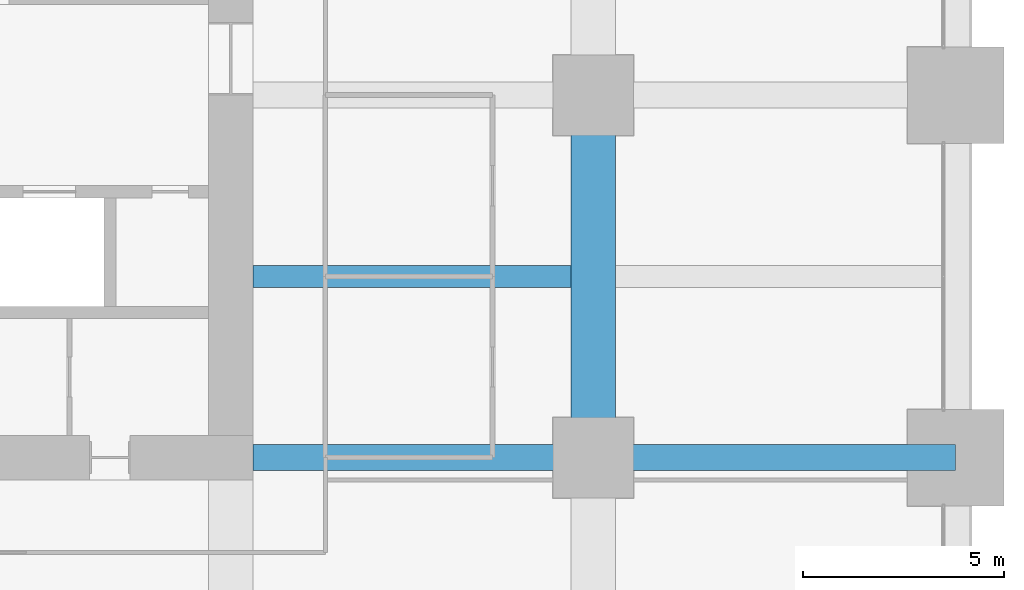
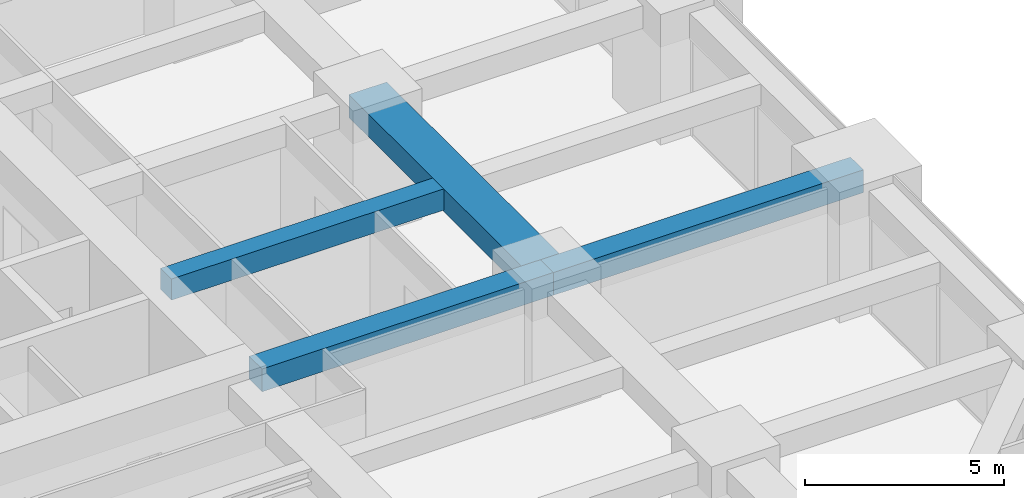
# One storey, part 20 of 39: 4 beams.
"""IFC4 building model written with IfcOpenShell, lengths in metres."""

from ifc_helpers import new_model, si_unit, direction, frame, origin, origin_2d, place, context, subcontext, project, spatial, rectangle, extrude, material, material_profile, profile_set, type_object, element, save


model = new_model("IFC4")

# Units and contexts
model_context = context("Model", 3, precision=1e-05, world=origin(), true_north=direction((0.0, 1.0)))
body_context = subcontext(model_context, "Body", "Model", "MODEL_VIEW")
ifc_project = project(units=[si_unit("LENGTHUNIT", "METRE"), si_unit("AREAUNIT", "SQUARE_METRE"), si_unit("VOLUMEUNIT", "CUBIC_METRE"), si_unit("PLANEANGLEUNIT", "RADIAN"), si_unit("MASSUNIT", "GRAM", prefix="KILO")], contexts=[model_context])

# Site, building, storey
site_placement = place(None, origin())
site = spatial("IfcSite", under=ifc_project, at=site_placement, CompositionType="ELEMENT")
building_placement = place(site_placement, origin())
building = spatial("IfcBuilding", under=site, at=building_placement, Name="Zorevar Civic Tower", CompositionType="ELEMENT")
storey_placement = place(building_placement, frame((0.0, 0.0, 121.0)))
storey = spatial("IfcBuildingStorey", under=building, at=storey_placement, Name="L29", CompositionType="ELEMENT", Elevation=121.0)

# Beams
ifc_material_1 = material(Name="Concrete C50/60", Category="concrete")
ifc_material_profile_1 = material_profile(ifc_material_1, rectangle(XDim=1.10009765625, YDim=0.699951171875, at=origin_2d()), Name="RC 1100x700")
ifc_profile_set_1 = profile_set([ifc_material_profile_1], Name="Concrete C50/60")
beam_type_1 = type_object("IfcBeamType", Name="Beam RC 1100x700", PredefinedType="BEAM", material=ifc_profile_set_1)
beam_1_placement = place(storey_placement, frame((54.0, 18.0, 3.39990234375), z_axis=(0.0, 1.0, 0.0), x_axis=(-1.0, 0.0, 0.0)))
element("IfcBeam", 1, at=beam_1_placement, inside=storey, type_object=beam_type_1, Name="Girder L30", PredefinedType="BEAM", context=body_context, shape_type="SweptSolid", body=[
    extrude(rectangle(XDim=1.10009765625, YDim=0.699951171875, at=origin_2d()), origin(), (0.0, 0.0, 1.0), 9.0),
])
ifc_material_2 = material(Name="Concrete C50/60", Category="concrete")
ifc_material_profile_2 = material_profile(ifc_material_2, rectangle(XDim=0.550048828125, YDim=0.64990234375, at=origin_2d()), Name="RC 550x650")
ifc_profile_set_2 = profile_set([ifc_material_profile_2], Name="Concrete C50/60")
beam_type_2 = type_object("IfcBeamType", Name="Beam RC 550x650", PredefinedType="BEAM", material=ifc_profile_set_2)
beam_2_placement = place(storey_placement, frame((45.550048828125, 22.5, 3.425048828125), z_axis=(1.0, 0.0, 0.0), x_axis=(0.0, 1.0, 0.0)))
element("IfcBeam", 2, at=beam_2_placement, inside=storey, type_object=beam_type_2, Name="Secondary beam L30", PredefinedType="BEAM", context=body_context, shape_type="SweptSolid", body=[
    extrude(rectangle(XDim=0.550048828125, YDim=0.64990234375, at=origin_2d()), origin(), (0.0, 0.0, 1.0), 7.89990234375),
])
ifc_material_3 = material(Name="Concrete C50/60", Category="concrete")
ifc_material_profile_3 = material_profile(ifc_material_3, rectangle(XDim=0.64990234375, YDim=0.699951171875, at=origin_2d()), Name="RC 650x700")
ifc_profile_set_3 = profile_set([ifc_material_profile_3], Name="Concrete C50/60")
beam_type_3 = type_object("IfcBeamType", Name="Beam RC 650x700", PredefinedType="BEAM", material=ifc_profile_set_3)
beam_3_placement = place(storey_placement, frame((45.550048828125, 18.0, 3.39990234375), z_axis=(1.0, 0.0, 0.0), x_axis=(0.0, 1.0, 0.0)))
element("IfcBeam", 3, at=beam_3_placement, inside=storey, type_object=beam_type_3, Name="Girder L30", PredefinedType="BEAM", context=body_context, shape_type="SweptSolid", body=[
    extrude(rectangle(XDim=0.64990234375, YDim=0.699951171875, at=origin_2d()), origin(), (0.0, 0.0, 1.0), 8.449951171875),
])
beam_4_placement = place(storey_placement, frame((54.0, 18.0, 3.39990234375), z_axis=(1.0, 0.0, 0.0), x_axis=(0.0, 1.0, 0.0)))
element("IfcBeam", 4, at=beam_4_placement, inside=storey, type_object=beam_type_3, Name="Girder L30", PredefinedType="BEAM", context=body_context, shape_type="SweptSolid", body=[
    extrude(rectangle(XDim=0.64990234375, YDim=0.699951171875, at=origin_2d()), origin(), (0.0, 0.0, 1.0), 9.0),
])

save(model, "model.ifc")
